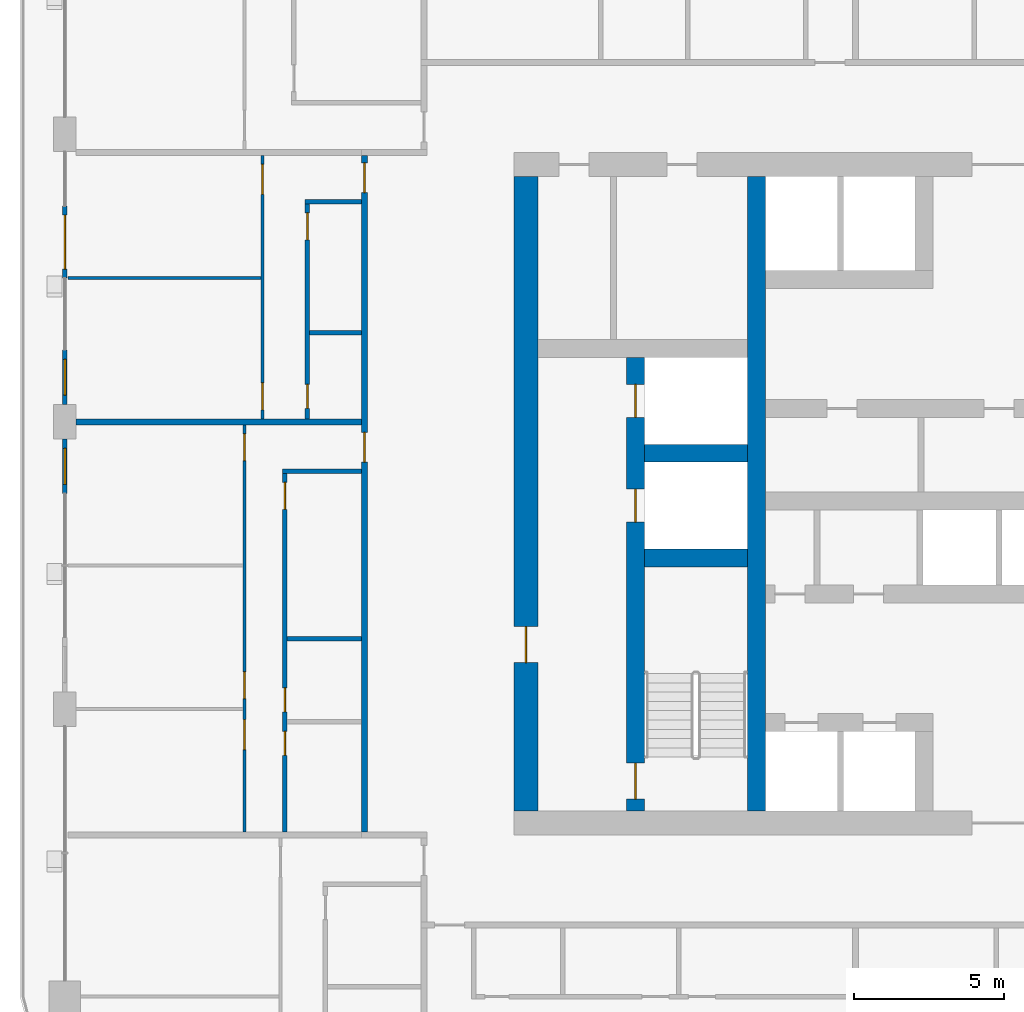
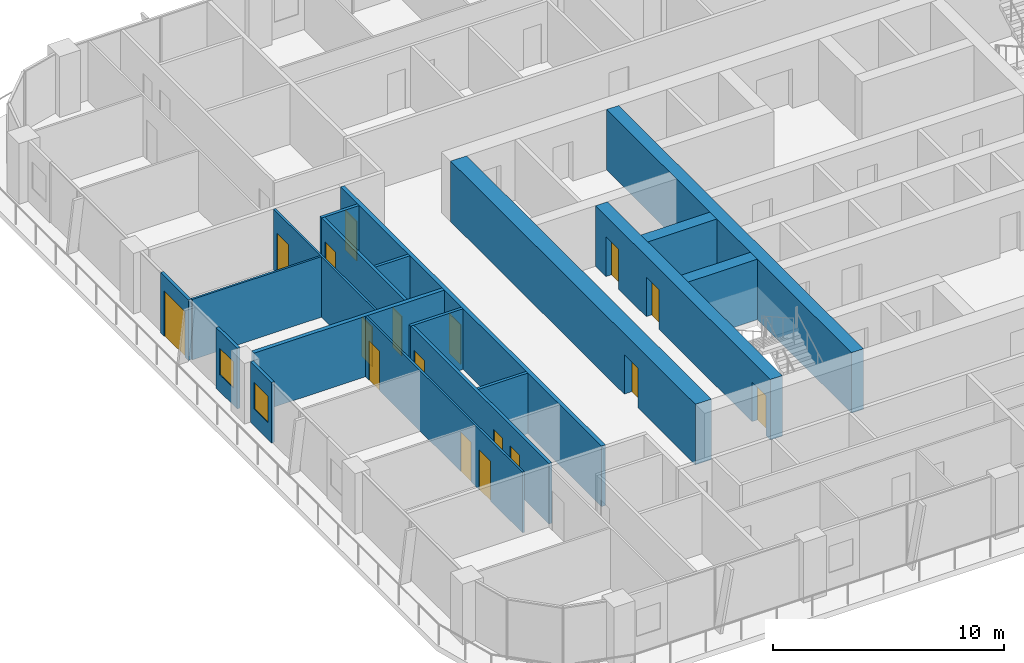
# One storey, part 10 of 22: 19 walls, 17 doors, 2 windows, 19 openings.
"""IFC4 building model written with IfcOpenShell, lengths in metres."""

from ifc_helpers import new_model, si_unit, direction, frame, frame_2d, origin, place, context, subcontext, project, spatial, rectangle, extrude, material, layer, layer_set, type_object, element, fill, save


model = new_model("IFC4")

# Units and contexts
model_context = context("Model", 3, precision=1e-05, world=origin(), true_north=direction((0.0, 1.0)))
body_context = subcontext(model_context, "Body", "Model", "MODEL_VIEW")
ifc_project = project(units=[si_unit("LENGTHUNIT", "METRE"), si_unit("AREAUNIT", "SQUARE_METRE"), si_unit("VOLUMEUNIT", "CUBIC_METRE"), si_unit("PLANEANGLEUNIT", "RADIAN"), si_unit("MASSUNIT", "GRAM", prefix="KILO")], contexts=[model_context])

# Site, building, storey
site_placement = place(None, origin())
site = spatial("IfcSite", under=ifc_project, at=site_placement, CompositionType="ELEMENT")
building_placement = place(site_placement, origin())
building = spatial("IfcBuilding", under=site, at=building_placement, Name="Madar Terraces", CompositionType="ELEMENT")
storey_placement = place(building_placement, frame((0.0, 0.0, 122.60009765625)))
storey = spatial("IfcBuildingStorey", under=building, at=storey_placement, Name="L31", CompositionType="ELEMENT", Elevation=122.60009765625)

# Wall, openings, doors
ifc_material_1 = material(Name="Concrete C70/85", Category="concrete")
ifc_layer_1 = layer(ifc_material_1, 0.60009765625)
ifc_layer_set_1 = layer_set([ifc_layer_1], Name="Concrete C70/85 (CIW3 RC wall 600)")
wall_type_1 = type_object("IfcWallType", Name="CIW3 RC wall 600", PredefinedType="SHEAR", material=ifc_layer_set_1)
wall_1_placement = place(storey_placement, frame((19.050048828125, 15.800048828125, 0.0), z_axis=(0.0, 0.0, 1.0), x_axis=(0.0, 1.0, 0.0)))
wall_1 = element("IfcWall", 1, at=wall_1_placement, inside=storey, type_object=wall_type_1, Name="CORE SHAFT WALL", PredefinedType="SHEAR", context=body_context, shape_type="SweptSolid", body=[
    extrude(rectangle(XDim=15.14990234375, YDim=0.60009765625, at=frame_2d((7.574951171875, 0.0))), origin(), (0.0, 0.0, 1.0), 3.199951171875),
])
opening_1_placement = place(wall_1_placement, frame((9.64990234375, 0.0, 0.0)))
opening_1 = element("IfcOpeningElement", 2, at=opening_1_placement, cuts=wall_1, Name="Opening LD", PredefinedType="OPENING", context=body_context, shape_type="SweptSolid", body=[
    extrude(rectangle(XDim=1.10009765625, YDim=2.10009765625, at=frame_2d((0.550048828125, 1.050048828125))), frame((0.0, 0.31005859375, 0.0), z_axis=(0.0, -1.0, 0.0), x_axis=(1.0, 0.0, 0.0)), (0.0, 0.0, 1.0), 0.6201171875),
])
opening_2_placement = place(wall_1_placement, frame((13.14990234375, 0.0, 0.0)))
opening_2 = element("IfcOpeningElement", 3, at=opening_2_placement, cuts=wall_1, Name="Opening LD", PredefinedType="OPENING", context=body_context, shape_type="SweptSolid", body=[
    extrude(rectangle(XDim=1.10009765625, YDim=2.10009765625, at=frame_2d((0.550048828125, 1.050048828125))), frame((0.0, 0.31005859375, 0.0), z_axis=(0.0, -1.0, 0.0), x_axis=(1.0, 0.0, 0.0)), (0.0, 0.0, 1.0), 0.6201171875),
])
opening_3_placement = place(wall_1_placement, frame((0.39990234375, 0.0, 0.0)))
opening_3 = element("IfcOpeningElement", 4, at=opening_3_placement, cuts=wall_1, Name="Opening SD1", PredefinedType="OPENING", context=body_context, shape_type="SweptSolid", body=[
    extrude(rectangle(XDim=1.199951171875, YDim=2.10009765625, at=frame_2d((0.60009765625, 1.050048828125))), frame((0.0, 0.31005859375, 0.0), z_axis=(0.0, -1.0, 0.0), x_axis=(1.0, 0.0, 0.0)), (0.0, 0.0, 1.0), 0.6201171875),
])
ifc_material_2 = material(Name="Stainless steel panel", Category="steel")
door_type_1 = type_object("IfcDoorType", Name="Lift landing door 1100 x 2100", OperationType="DOUBLE_DOOR_SLIDING", PredefinedType="DOOR", material=ifc_material_2)
door_1_placement = place(opening_1_placement, origin())
door_1 = element("IfcDoor", 5, at=door_1_placement, inside=storey, type_object=door_type_1, Name="LIFT LANDING DOOR", OperationType="DOUBLE_DOOR_SLIDING", OverallHeight=2.10009765625, OverallWidth=1.10009765625, PredefinedType="DOOR", context=body_context, shape_type="SweptSolid", body=[
    extrude(rectangle(XDim=1.10009765625, YDim=2.10009765625, at=frame_2d((0.550048828125, 1.050048828125))), frame((0.0, 0.02490234375, 0.0), z_axis=(0.0, -1.0, 0.0), x_axis=(1.0, 0.0, 0.0)), (0.0, 0.0, 1.0), 0.050048828125),
])
fill(opening_1, door_1)
door_2_placement = place(opening_2_placement, origin())
door_2 = element("IfcDoor", 6, at=door_2_placement, inside=storey, type_object=door_type_1, Name="LIFT LANDING DOOR", OperationType="DOUBLE_DOOR_SLIDING", OverallHeight=2.10009765625, OverallWidth=1.10009765625, PredefinedType="DOOR", context=body_context, shape_type="SweptSolid", body=[
    extrude(rectangle(XDim=1.10009765625, YDim=2.10009765625, at=frame_2d((0.550048828125, 1.050048828125))), frame((0.0, 0.02490234375, 0.0), z_axis=(0.0, -1.0, 0.0), x_axis=(1.0, 0.0, 0.0)), (0.0, 0.0, 1.0), 0.050048828125),
])
fill(opening_2, door_2)
ifc_material_3 = material(Name="Steel door leaf", Category="steel")
door_type_2 = type_object("IfcDoorType", Name="Stair door 1200 x 2100", OperationType="NOTDEFINED", PredefinedType="DOOR", material=ifc_material_3)
door_3_placement = place(opening_3_placement, frame((1.199951171875, 0.0, 0.0), z_axis=(0.0, 0.0, 1.0), x_axis=(-1.0, 0.0, 0.0)))
door_3 = element("IfcDoor", 7, at=door_3_placement, inside=storey, type_object=door_type_2, Name="STAIR DOOR", OperationType="SINGLE_SWING_LEFT", OverallHeight=2.10009765625, OverallWidth=1.199951171875, PredefinedType="DOOR", context=body_context, shape_type="SweptSolid", body=[
    extrude(rectangle(XDim=1.199951171875, YDim=2.10009765625, at=frame_2d((0.60009765625, 1.050048828125))), frame((0.0, 0.02490234375, 0.0), z_axis=(0.0, -1.0, 0.0), x_axis=(1.0, 0.0, 0.0)), (0.0, 0.0, 1.0), 0.050048828125),
])
fill(opening_3, door_3)

# Walls
wall_2_placement = place(storey_placement, frame((23.10009765625, 15.800048828125, 0.0), z_axis=(0.0, 0.0, 1.0), x_axis=(0.0, 1.0, 0.0)))
element("IfcWall", 8, at=wall_2_placement, inside=storey, type_object=wall_type_1, Name="CORE SHAFT WALL", PredefinedType="SHEAR", context=body_context, shape_type="SweptSolid", body=[
    extrude(rectangle(XDim=21.199951171875, YDim=0.60009765625, at=frame_2d((10.60009765625, 0.0))), origin(), (0.0, 0.0, 1.0), 3.199951171875),
])
for number, where, z_axis, x_axis, name in (
    (9, (19.35009765625, 24.25, 0.0), (0.0, 0.0, 1.0), (1.0, 0.0, 0.0), "CORE SHAFT WALL"),
    (10, (19.35009765625, 27.75, 0.0), (0.0, 0.0, 1.0), (1.0, 0.0, 0.0), "CORE SHAFT WALL"),
):
    element("IfcWall", number, at=place(storey_placement, frame(where, z_axis=z_axis, x_axis=x_axis)), inside=storey, type_object=wall_type_1, Name=name, PredefinedType="SHEAR", context=body_context, shape_type="SweptSolid", body=[
        extrude(rectangle(XDim=3.449951171875, YDim=0.60009765625, at=frame_2d((1.72509765625, 0.0))), origin(), (0.0, 0.0, 1.0), 3.199951171875),
    ])

# Wall, opening, door
ifc_material_4 = material(Name="Concrete C70/85", Category="concrete")
ifc_layer_2 = layer(ifc_material_4, 0.800048828125)
ifc_layer_set_2 = layer_set([ifc_layer_2], Name="Concrete C70/85 (CRW3 RC wall 800)")
wall_type_2 = type_object("IfcWallType", Name="CRW3 RC wall 800", PredefinedType="SHEAR", material=ifc_layer_set_2)
wall_3_placement = place(storey_placement, frame((15.39990234375, 15.800048828125, 0.0), z_axis=(0.0, 0.0, 1.0), x_axis=(0.0, 1.0, 0.0)))
wall_3 = element("IfcWall", 11, at=wall_3_placement, inside=storey, type_object=wall_type_2, Name="CORE OUTER WALL", PredefinedType="SHEAR", context=body_context, shape_type="SweptSolid", body=[
    extrude(rectangle(XDim=21.199951171875, YDim=0.800048828125, at=frame_2d((10.60009765625, 0.0))), origin(), (0.0, 0.0, 1.0), 3.199951171875),
])
opening_4_placement = place(wall_3_placement, frame((4.9599609375, 0.0, 0.0)))
opening_4 = element("IfcOpeningElement", 12, at=opening_4_placement, cuts=wall_3, Name="Opening SD1", PredefinedType="OPENING", context=body_context, shape_type="SweptSolid", body=[
    extrude(rectangle(XDim=1.199951171875, YDim=2.10009765625, at=frame_2d((0.60009765625, 1.050048828125))), frame((0.0, 0.409912109375, 0.0), z_axis=(0.0, -1.0, 0.0), x_axis=(1.0, 0.0, 0.0)), (0.0, 0.0, 1.0), 0.820068359375),
])
door_4_placement = place(opening_4_placement, frame((1.199951171875, 0.0, 0.0), z_axis=(0.0, 0.0, 1.0), x_axis=(-1.0, 0.0, 0.0)))
door_4 = element("IfcDoor", 13, at=door_4_placement, inside=storey, type_object=door_type_2, Name="STAIR DOOR", OperationType="SINGLE_SWING_RIGHT", OverallHeight=2.10009765625, OverallWidth=1.199951171875, PredefinedType="DOOR", context=body_context, shape_type="SweptSolid", body=[
    extrude(rectangle(XDim=1.199951171875, YDim=2.10009765625, at=frame_2d((0.60009765625, 1.050048828125))), frame((0.0, 0.02490234375, 0.0), z_axis=(0.0, -1.0, 0.0), x_axis=(1.0, 0.0, 0.0)), (0.0, 0.0, 1.0), 0.050048828125),
])
fill(opening_4, door_4)

ifc_material_5 = material(Name="Aluminium composite panel, black, over insulated backing", Category="aluminium")
ifc_layer_3 = layer(ifc_material_5, 0.14990234375)
ifc_layer_set_3 = layer_set([ifc_layer_3], Name="Facade bay panel 150")
wall_type_3 = type_object("IfcWallType", Name="Facade bay panel 150", PredefinedType="SOLIDWALL", material=ifc_layer_set_3)
wall_4_placement = place(storey_placement, frame((0.0, 36.0, 0.0), z_axis=(0.0, 0.0, 1.0), x_axis=(0.0, -1.0, 0.0)))
wall_4 = element("IfcWall", 14, at=wall_4_placement, inside=storey, type_object=wall_type_3, Name="Facade bay panel", PredefinedType="SOLIDWALL", context=body_context, shape_type="SweptSolid", body=[
    extrude(rectangle(XDim=2.39990234375, YDim=0.14990234375, at=frame_2d((1.199951171875, 0.0))), origin(), (0.0, 0.0, 1.0), 3.199951171875),
])
opening_5_placement = place(wall_4_placement, frame((0.300048828125, 0.0, 0.0)))
opening_5 = element("IfcOpeningElement", 15, at=opening_5_placement, cuts=wall_4, Name="Opening ED1", PredefinedType="OPENING", context=body_context, shape_type="SweptSolid", body=[
    extrude(rectangle(XDim=1.800048828125, YDim=2.39990234375, at=frame_2d((0.89990234375, 1.199951171875))), frame((0.0, 0.0849609375, 0.0), z_axis=(0.0, -1.0, 0.0), x_axis=(1.0, 0.0, 0.0)), (0.0, 0.0, 1.0), 0.169921875),
])
ifc_material_6 = material(Name="Glass, clear, with black aluminium frame", Category="aluminium")
door_type_3 = type_object("IfcDoorType", Name="Balcony and terrace sliding door 1800 x 2400", OperationType="SLIDING_TO_LEFT", PredefinedType="DOOR", material=ifc_material_6)
door_5_placement = place(opening_5_placement, origin())
door_5 = element("IfcDoor", 16, at=door_5_placement, inside=storey, type_object=door_type_3, Name="Balcony door", OperationType="SLIDING_TO_LEFT", OverallHeight=2.39990234375, OverallWidth=1.800048828125, PredefinedType="DOOR", context=body_context, shape_type="SweptSolid", body=[
    extrude(rectangle(XDim=1.800048828125, YDim=2.39990234375, at=frame_2d((0.89990234375, 1.199951171875))), frame((0.0, 0.02490234375, 0.0), z_axis=(0.0, -1.0, 0.0), x_axis=(1.0, 0.0, 0.0)), (0.0, 0.0, 1.0), 0.050048828125),
])
fill(opening_5, door_5)

# Wall, opening, window
wall_5_placement = place(storey_placement, frame((0.0, 31.199951171875, 0.0), z_axis=(0.0, 0.0, 1.0), x_axis=(0.0, -1.0, 0.0)))
wall_5 = element("IfcWall", 17, at=wall_5_placement, inside=storey, type_object=wall_type_3, Name="Facade bay panel", PredefinedType="SOLIDWALL", context=body_context, shape_type="SweptSolid", body=[
    extrude(rectangle(XDim=1.824951171875, YDim=0.14990234375, at=frame_2d((0.91259765625, 0.0))), origin(), (0.0, 0.0, 1.0), 3.199951171875),
])
opening_6_placement = place(wall_5_placement, frame((0.3125, 0.0, 0.89990234375)))
opening_6 = element("IfcOpeningElement", 18, at=opening_6_placement, cuts=wall_5, Name="Opening W1", PredefinedType="OPENING", context=body_context, shape_type="SweptSolid", body=[
    extrude(rectangle(XDim=1.199951171875, YDim=1.39990234375, at=frame_2d((0.60009765625, 0.699951171875))), frame((0.0, 0.0849609375, 0.0), z_axis=(0.0, -1.0, 0.0), x_axis=(1.0, 0.0, 0.0)), (0.0, 0.0, 1.0), 0.169921875),
])
ifc_material_7 = material(Name="Glass, clear, with black aluminium frame", Category="aluminium")
window_type = type_object("IfcWindowType", Name="Vent window 1200 x 1400", PartitioningType="SINGLE_PANEL", PredefinedType="WINDOW", material=ifc_material_7)
window_1_placement = place(opening_6_placement, origin())
window_1 = element("IfcWindow", 19, at=window_1_placement, inside=storey, type_object=window_type, Name="Operable vent window", OverallHeight=1.39990234375, OverallWidth=1.199951171875, PartitioningType="SINGLE_PANEL", PredefinedType="WINDOW", context=body_context, shape_type="SweptSolid", body=[
    extrude(rectangle(XDim=1.199951171875, YDim=1.39990234375, at=frame_2d((0.60009765625, 0.699951171875))), frame((0.0, 0.030029296875, 0.0), z_axis=(0.0, -1.0, 0.0), x_axis=(1.0, 0.0, 0.0)), (0.0, 0.0, 1.0), 0.06005859375),
])
fill(opening_6, window_1)

wall_6_placement = place(storey_placement, frame((0.0, 28.22509765625, 0.0), z_axis=(0.0, 0.0, 1.0), x_axis=(0.0, -1.0, 0.0)))
wall_6 = element("IfcWall", 20, at=wall_6_placement, inside=storey, type_object=wall_type_3, Name="Facade bay panel", PredefinedType="SOLIDWALL", context=body_context, shape_type="SweptSolid", body=[
    extrude(rectangle(XDim=1.8251953125, YDim=0.14990234375, at=frame_2d((0.91259765625, 0.0))), origin(), (0.0, 0.0, 1.0), 3.199951171875),
])
opening_7_placement = place(wall_6_placement, frame((0.3125, 0.0, 0.89990234375)))
opening_7 = element("IfcOpeningElement", 21, at=opening_7_placement, cuts=wall_6, Name="Opening W1", PredefinedType="OPENING", context=body_context, shape_type="SweptSolid", body=[
    extrude(rectangle(XDim=1.199951171875, YDim=1.39990234375, at=frame_2d((0.60009765625, 0.699951171875))), frame((0.0, 0.0849609375, 0.0), z_axis=(0.0, -1.0, 0.0), x_axis=(1.0, 0.0, 0.0)), (0.0, 0.0, 1.0), 0.169921875),
])
window_2_placement = place(opening_7_placement, origin())
window_2 = element("IfcWindow", 22, at=window_2_placement, inside=storey, type_object=window_type, Name="Operable vent window", OverallHeight=1.39990234375, OverallWidth=1.199951171875, PartitioningType="SINGLE_PANEL", PredefinedType="WINDOW", context=body_context, shape_type="SweptSolid", body=[
    extrude(rectangle(XDim=1.199951171875, YDim=1.39990234375, at=frame_2d((0.60009765625, 0.699951171875))), frame((0.0, 0.030029296875, 0.0), z_axis=(0.0, -1.0, 0.0), x_axis=(1.0, 0.0, 0.0)), (0.0, 0.0, 1.0), 0.06005859375),
])
fill(opening_7, window_2)

# Wall
ifc_material_8 = material(Name="Gypsum board on steel studs", Category="steel")
ifc_layer_4 = layer(ifc_material_8, 0.10009765625)
ifc_layer_set_4 = layer_set([ifc_layer_4], Name="Flat partition 100")
wall_type_4 = type_object("IfcWallType", Name="Flat partition 100", PredefinedType="PARTITIONING", material=ifc_layer_set_4)
wall_7_placement = place(storey_placement, frame((6.550048828125, 33.60009765625, 0.0), z_axis=(0.0, 0.0, 1.0), x_axis=(-1.0, 0.0, 0.0)))
element("IfcWall", 23, at=wall_7_placement, inside=storey, type_object=wall_type_4, Name="Flat partition 100", PredefinedType="PARTITIONING", context=body_context, shape_type="SweptSolid", body=[
    extrude(rectangle(XDim=6.449951171875, YDim=0.10009765625, at=frame_2d((3.22509765625, 0.0))), origin(), (0.0, 0.0, 1.0), 3.199951171875),
])

# Wall, openings, doors
wall_8_placement = place(storey_placement, frame((6.60009765625, 28.89990234375, 0.0), z_axis=(0.0, 0.0, 1.0), x_axis=(0.0, 1.0, 0.0)))
wall_8 = element("IfcWall", 24, at=wall_8_placement, inside=storey, type_object=wall_type_4, Name="Flat partition 100", PredefinedType="PARTITIONING", context=body_context, shape_type="SweptSolid", body=[
    extrude(rectangle(XDim=8.800048828125, YDim=0.10009765625, at=frame_2d((4.39990234375, 0.0))), origin(), (0.0, 0.0, 1.0), 3.199951171875),
])
opening_8_placement = place(wall_8_placement, frame((7.5, 0.0, 0.0)))
opening_8 = element("IfcOpeningElement", 25, at=opening_8_placement, cuts=wall_8, Name="Opening D3", PredefinedType="OPENING", context=body_context, shape_type="SweptSolid", body=[
    extrude(rectangle(XDim=1.0, YDim=2.10009765625, at=frame_2d((0.5, 1.050048828125))), frame((0.0, 0.06005859375, 0.0), z_axis=(0.0, -1.0, 0.0), x_axis=(1.0, 0.0, 0.0)), (0.0, 0.0, 1.0), 0.1201171875),
])
opening_9_placement = place(wall_8_placement, frame((0.300048828125, 0.0, 0.0)))
opening_9 = element("IfcOpeningElement", 26, at=opening_9_placement, cuts=wall_8, Name="Opening D2", PredefinedType="OPENING", context=body_context, shape_type="SweptSolid", body=[
    extrude(rectangle(XDim=0.89990234375, YDim=2.10009765625, at=frame_2d((0.449951171875, 1.050048828125))), frame((0.0, 0.06005859375, 0.0), z_axis=(0.0, -1.0, 0.0), x_axis=(1.0, 0.0, 0.0)), (0.0, 0.0, 1.0), 0.1201171875),
])
ifc_material_9 = material(Name="Timber door leaf", Category="wood")
door_type_4 = type_object("IfcDoorType", Name="Flat living room door 1000", OperationType="NOTDEFINED", PredefinedType="DOOR", material=ifc_material_9)
door_6_placement = place(opening_8_placement, origin())
door_6 = element("IfcDoor", 27, at=door_6_placement, inside=storey, type_object=door_type_4, Name="Flat living room door 1000", OperationType="SINGLE_SWING_RIGHT", OverallHeight=2.10009765625, OverallWidth=1.0, PredefinedType="DOOR", context=body_context, shape_type="SweptSolid", body=[
    extrude(rectangle(XDim=1.0, YDim=2.10009765625, at=frame_2d((0.5, 1.050048828125))), frame((0.0, 0.02490234375, 0.0), z_axis=(0.0, -1.0, 0.0), x_axis=(1.0, 0.0, 0.0)), (0.0, 0.0, 1.0), 0.050048828125),
])
fill(opening_8, door_6)
ifc_material_10 = material(Name="Timber door leaf", Category="wood")
door_type_5 = type_object("IfcDoorType", Name="Flat room door 900", OperationType="NOTDEFINED", PredefinedType="DOOR", material=ifc_material_10)
door_7_placement = place(opening_9_placement, origin())
door_7 = element("IfcDoor", 28, at=door_7_placement, inside=storey, type_object=door_type_5, Name="Flat room door 900", OperationType="SINGLE_SWING_LEFT", OverallHeight=2.10009765625, OverallWidth=0.89990234375, PredefinedType="DOOR", context=body_context, shape_type="SweptSolid", body=[
    extrude(rectangle(XDim=0.89990234375, YDim=2.10009765625, at=frame_2d((0.449951171875, 1.050048828125))), frame((0.0, 0.02490234375, 0.0), z_axis=(0.0, -1.0, 0.0), x_axis=(1.0, 0.0, 0.0)), (0.0, 0.0, 1.0), 0.050048828125),
])
fill(opening_9, door_7)

wall_9_placement = place(storey_placement, frame((6.0, 15.10009765625, 0.0), z_axis=(0.0, 0.0, 1.0), x_axis=(0.0, 1.0, 0.0)))
wall_9 = element("IfcWall", 29, at=wall_9_placement, inside=storey, type_object=wall_type_4, Name="Flat partition 100", PredefinedType="PARTITIONING", context=body_context, shape_type="SweptSolid", body=[
    extrude(rectangle(XDim=13.599853515625, YDim=0.10009765625, at=frame_2d((6.7998046875, 0.0))), origin(), (0.0, 0.0, 1.0), 3.199951171875),
])
opening_10_placement = place(wall_9_placement, frame((12.39990234375, 0.0, 0.0)))
opening_10 = element("IfcOpeningElement", 30, at=opening_10_placement, cuts=wall_9, Name="Opening D2", PredefinedType="OPENING", context=body_context, shape_type="SweptSolid", body=[
    extrude(rectangle(XDim=0.89990234375, YDim=2.10009765625, at=frame_2d((0.449951171875, 1.050048828125))), frame((0.0, 0.06005859375, 0.0), z_axis=(0.0, -1.0, 0.0), x_axis=(1.0, 0.0, 0.0)), (0.0, 0.0, 1.0), 0.1201171875),
])
opening_11_placement = place(wall_9_placement, frame((4.449951171875, 0.0, 0.0)))
opening_11 = element("IfcOpeningElement", 31, at=opening_11_placement, cuts=wall_9, Name="Opening D2", PredefinedType="OPENING", context=body_context, shape_type="SweptSolid", body=[
    extrude(rectangle(XDim=0.89990234375, YDim=2.10009765625, at=frame_2d((0.449951171875, 1.050048828125))), frame((0.0, 0.06005859375, 0.0), z_axis=(0.0, -1.0, 0.0), x_axis=(1.0, 0.0, 0.0)), (0.0, 0.0, 1.0), 0.1201171875),
])
opening_12_placement = place(wall_9_placement, frame((2.75, 0.0, 0.0)))
opening_12 = element("IfcOpeningElement", 32, at=opening_12_placement, cuts=wall_9, Name="Opening D3", PredefinedType="OPENING", context=body_context, shape_type="SweptSolid", body=[
    extrude(rectangle(XDim=1.0, YDim=2.10009765625, at=frame_2d((0.5, 1.050048828125))), frame((0.0, 0.06005859375, 0.0), z_axis=(0.0, -1.0, 0.0), x_axis=(1.0, 0.0, 0.0)), (0.0, 0.0, 1.0), 0.1201171875),
])
door_8_placement = place(opening_12_placement, origin())
door_8 = element("IfcDoor", 33, at=door_8_placement, inside=storey, type_object=door_type_4, Name="Flat living room door 1000", OperationType="SINGLE_SWING_RIGHT", OverallHeight=2.10009765625, OverallWidth=1.0, PredefinedType="DOOR", context=body_context, shape_type="SweptSolid", body=[
    extrude(rectangle(XDim=1.0, YDim=2.10009765625, at=frame_2d((0.5, 1.050048828125))), frame((0.0, 0.02490234375, 0.0), z_axis=(0.0, -1.0, 0.0), x_axis=(1.0, 0.0, 0.0)), (0.0, 0.0, 1.0), 0.050048828125),
])
fill(opening_12, door_8)
door_9_placement = place(opening_10_placement, origin())
door_9 = element("IfcDoor", 34, at=door_9_placement, inside=storey, type_object=door_type_5, Name="Flat room door 900", OperationType="SINGLE_SWING_RIGHT", OverallHeight=2.10009765625, OverallWidth=0.89990234375, PredefinedType="DOOR", context=body_context, shape_type="SweptSolid", body=[
    extrude(rectangle(XDim=0.89990234375, YDim=2.10009765625, at=frame_2d((0.449951171875, 1.050048828125))), frame((0.0, 0.02490234375, 0.0), z_axis=(0.0, -1.0, 0.0), x_axis=(1.0, 0.0, 0.0)), (0.0, 0.0, 1.0), 0.050048828125),
])
fill(opening_10, door_9)
door_10_placement = place(opening_11_placement, origin())
door_10 = element("IfcDoor", 35, at=door_10_placement, inside=storey, type_object=door_type_5, Name="Flat room door 900", OperationType="SINGLE_SWING_LEFT", OverallHeight=2.10009765625, OverallWidth=0.89990234375, PredefinedType="DOOR", context=body_context, shape_type="SweptSolid", body=[
    extrude(rectangle(XDim=0.89990234375, YDim=2.10009765625, at=frame_2d((0.449951171875, 1.050048828125))), frame((0.0, 0.02490234375, 0.0), z_axis=(0.0, -1.0, 0.0), x_axis=(1.0, 0.0, 0.0)), (0.0, 0.0, 1.0), 0.050048828125),
])
fill(opening_11, door_10)

ifc_material_11 = material(Name="Lightweight blockwork", Category="masonry")
ifc_layer_5 = layer(ifc_material_11, 0.199951171875)
ifc_layer_set_5 = layer_set([ifc_layer_5], Name="Flat party and entrance wall 200")
wall_type_5 = type_object("IfcWallType", Name="Flat party and entrance wall 200", PredefinedType="PARTITIONING", material=ifc_layer_set_5)
wall_10_placement = place(storey_placement, frame((10.0, 15.10009765625, 0.0), z_axis=(0.0, 0.0, 1.0), x_axis=(0.0, 1.0, 0.0)))
wall_10 = element("IfcWall", 36, at=wall_10_placement, inside=storey, type_object=wall_type_5, Name="Flat party and entrance wall 200", PredefinedType="PARTITIONING", context=body_context, shape_type="SweptSolid", body=[
    extrude(rectangle(XDim=22.599853515625, YDim=0.199951171875, at=frame_2d((11.2998046875, 0.0))), origin(), (0.0, 0.0, 1.0), 3.199951171875),
])
opening_13_placement = place(wall_10_placement, frame((21.35009765625, 0.0, 0.0)))
opening_13 = element("IfcOpeningElement", 37, at=opening_13_placement, cuts=wall_10, Name="Opening D1", PredefinedType="OPENING", context=body_context, shape_type="SweptSolid", body=[
    extrude(rectangle(XDim=1.0, YDim=2.10009765625, at=frame_2d((0.5, 1.050048828125))), frame((0.0, 0.10986328125, 0.0), z_axis=(0.0, -1.0, 0.0), x_axis=(1.0, 0.0, 0.0)), (0.0, 0.0, 1.0), 0.219970703125),
])
opening_14_placement = place(wall_10_placement, frame((12.35009765625, 0.0, 0.0)))
opening_14 = element("IfcOpeningElement", 38, at=opening_14_placement, cuts=wall_10, Name="Opening D1", PredefinedType="OPENING", context=body_context, shape_type="SweptSolid", body=[
    extrude(rectangle(XDim=1.0, YDim=2.10009765625, at=frame_2d((0.5, 1.050048828125))), frame((0.0, 0.10986328125, 0.0), z_axis=(0.0, -1.0, 0.0), x_axis=(1.0, 0.0, 0.0)), (0.0, 0.0, 1.0), 0.219970703125),
])
ifc_material_12 = material(Name="Timber fire door leaf", Category="wood")
door_type_6 = type_object("IfcDoorType", Name="Flat entrance door 1000 FD30S", OperationType="NOTDEFINED", PredefinedType="DOOR", material=ifc_material_12)
door_11_placement = place(opening_13_placement, origin())
door_11 = element("IfcDoor", 39, at=door_11_placement, inside=storey, type_object=door_type_6, Name="Flat entrance door 1000 FD30S", OperationType="SINGLE_SWING_RIGHT", OverallHeight=2.10009765625, OverallWidth=1.0, PredefinedType="DOOR", context=body_context, shape_type="SweptSolid", body=[
    extrude(rectangle(XDim=1.0, YDim=2.10009765625, at=frame_2d((0.5, 1.050048828125))), frame((0.0, 0.02490234375, 0.0), z_axis=(0.0, -1.0, 0.0), x_axis=(1.0, 0.0, 0.0)), (0.0, 0.0, 1.0), 0.050048828125),
])
fill(opening_13, door_11)
door_12_placement = place(opening_14_placement, origin())
door_12 = element("IfcDoor", 40, at=door_12_placement, inside=storey, type_object=door_type_6, Name="Flat entrance door 1000 FD30S", OperationType="SINGLE_SWING_RIGHT", OverallHeight=2.10009765625, OverallWidth=1.0, PredefinedType="DOOR", context=body_context, shape_type="SweptSolid", body=[
    extrude(rectangle(XDim=1.0, YDim=2.10009765625, at=frame_2d((0.5, 1.050048828125))), frame((0.0, 0.02490234375, 0.0), z_axis=(0.0, -1.0, 0.0), x_axis=(1.0, 0.0, 0.0)), (0.0, 0.0, 1.0), 0.050048828125),
])
fill(opening_14, door_12)

# Walls
wall_11_placement = place(storey_placement, frame((0.375, 28.800048828125, 0.0), z_axis=(0.0, 0.0, 1.0), x_axis=(1.0, 0.0, 0.0)))
element("IfcWall", 41, at=wall_11_placement, inside=storey, type_object=wall_type_5, Name="Flat party and entrance wall 200", PredefinedType="PARTITIONING", context=body_context, shape_type="SweptSolid", body=[
    extrude(rectangle(XDim=9.52490234375, YDim=0.199951171875, at=frame_2d((4.762451171875, 0.0))), origin(), (0.0, 0.0, 1.0), 3.199951171875),
])
ifc_material_13 = material(Name="Lightweight blockwork", Category="masonry")
ifc_layer_6 = layer(ifc_material_13, 0.14990234375)
ifc_layer_set_6 = layer_set([ifc_layer_6], Name="Flat wet-room partition 150")
wall_type_6 = type_object("IfcWallType", Name="Flat wet-room partition 150", PredefinedType="PARTITIONING", material=ifc_layer_set_6)
wall_12_placement = place(storey_placement, frame((9.89990234375, 31.77001953125, 0.0), z_axis=(0.0, 0.0, 1.0), x_axis=(-1.0, 0.0, 0.0)))
element("IfcWall", 42, at=wall_12_placement, inside=storey, type_object=wall_type_6, Name="Flat wet-room partition 150", PredefinedType="PARTITIONING", context=body_context, shape_type="SweptSolid", body=[
    extrude(rectangle(XDim=1.724853515625, YDim=0.14990234375, at=frame_2d((0.8623046875, 0.0))), origin(), (0.0, 0.0, 1.0), 3.199951171875),
])
wall_13_placement = place(storey_placement, frame((9.89990234375, 36.14990234375, 0.0), z_axis=(0.0, 0.0, 1.0), x_axis=(-1.0, 0.0, 0.0)))
element("IfcWall", 43, at=wall_13_placement, inside=storey, type_object=wall_type_6, Name="Flat wet-room partition 150", PredefinedType="PARTITIONING", context=body_context, shape_type="SweptSolid", body=[
    extrude(rectangle(XDim=1.875, YDim=0.14990234375, at=frame_2d((0.9375, 0.0))), origin(), (0.0, 0.0, 1.0), 3.199951171875),
])

# Wall, openings, doors
wall_14_placement = place(storey_placement, frame((8.10009765625, 36.074951171875, 0.0), z_axis=(0.0, 0.0, 1.0), x_axis=(0.0, -1.0, 0.0)))
wall_14 = element("IfcWall", 44, at=wall_14_placement, inside=storey, type_object=wall_type_6, Name="Flat wet-room partition 150", PredefinedType="PARTITIONING", context=body_context, shape_type="SweptSolid", body=[
    extrude(rectangle(XDim=7.175048828125, YDim=0.14990234375, at=frame_2d((3.58740234375, 0.0))), origin(), (0.0, 0.0, 1.0), 3.199951171875),
])
opening_15_placement = place(wall_14_placement, frame((0.300048828125, 0.0, 0.0)))
opening_15 = element("IfcOpeningElement", 45, at=opening_15_placement, cuts=wall_14, Name="Opening D2", PredefinedType="OPENING", context=body_context, shape_type="SweptSolid", body=[
    extrude(rectangle(XDim=0.89990234375, YDim=2.10009765625, at=frame_2d((0.449951171875, 1.050048828125))), frame((0.0, 0.0849609375, 0.0), z_axis=(0.0, -1.0, 0.0), x_axis=(1.0, 0.0, 0.0)), (0.0, 0.0, 1.0), 0.169921875),
])
opening_16_placement = place(wall_14_placement, frame((6.02490234375, 0.0, 0.0)))
opening_16 = element("IfcOpeningElement", 46, at=opening_16_placement, cuts=wall_14, Name="Opening D4", PredefinedType="OPENING", context=body_context, shape_type="SweptSolid", body=[
    extrude(rectangle(XDim=0.800048828125, YDim=2.10009765625, at=frame_2d((0.39990234375, 1.050048828125))), frame((0.0, 0.0849609375, 0.0), z_axis=(0.0, -1.0, 0.0), x_axis=(1.0, 0.0, 0.0)), (0.0, 0.0, 1.0), 0.169921875),
])
ifc_material_14 = material(Name="Timber door leaf", Category="wood")
door_type_7 = type_object("IfcDoorType", Name="Flat bathroom door 800", OperationType="NOTDEFINED", PredefinedType="DOOR", material=ifc_material_14)
door_13_placement = place(opening_16_placement, origin())
door_13 = element("IfcDoor", 47, at=door_13_placement, inside=storey, type_object=door_type_7, Name="Flat bathroom door 800", OperationType="SINGLE_SWING_RIGHT", OverallHeight=2.10009765625, OverallWidth=0.800048828125, PredefinedType="DOOR", context=body_context, shape_type="SweptSolid", body=[
    extrude(rectangle(XDim=0.800048828125, YDim=2.10009765625, at=frame_2d((0.39990234375, 1.050048828125))), frame((0.0, 0.02490234375, 0.0), z_axis=(0.0, -1.0, 0.0), x_axis=(1.0, 0.0, 0.0)), (0.0, 0.0, 1.0), 0.050048828125),
])
fill(opening_16, door_13)
door_14_placement = place(opening_15_placement, origin())
door_14 = element("IfcDoor", 48, at=door_14_placement, inside=storey, type_object=door_type_5, Name="Flat room door 900", OperationType="SINGLE_SWING_LEFT", OverallHeight=2.10009765625, OverallWidth=0.89990234375, PredefinedType="DOOR", context=body_context, shape_type="SweptSolid", body=[
    extrude(rectangle(XDim=0.89990234375, YDim=2.10009765625, at=frame_2d((0.449951171875, 1.050048828125))), frame((0.0, 0.02490234375, 0.0), z_axis=(0.0, -1.0, 0.0), x_axis=(1.0, 0.0, 0.0)), (0.0, 0.0, 1.0), 0.050048828125),
])
fill(opening_15, door_14)

# Walls
wall_15_placement = place(storey_placement, frame((9.89990234375, 21.548095703125, 0.0), z_axis=(0.0, 0.0, 1.0), x_axis=(-1.0, 0.0, 0.0)))
element("IfcWall", 49, at=wall_15_placement, inside=storey, type_object=wall_type_6, Name="Flat wet-room partition 150", PredefinedType="PARTITIONING", context=body_context, shape_type="SweptSolid", body=[
    extrude(rectangle(XDim=2.474853515625, YDim=0.14990234375, at=frame_2d((1.2373046875, 0.0))), origin(), (0.0, 0.0, 1.0), 3.199951171875),
])
wall_16_placement = place(storey_placement, frame((9.89990234375, 27.14990234375, 0.0), z_axis=(0.0, 0.0, 1.0), x_axis=(-1.0, 0.0, 0.0)))
element("IfcWall", 50, at=wall_16_placement, inside=storey, type_object=wall_type_6, Name="Flat wet-room partition 150", PredefinedType="PARTITIONING", context=body_context, shape_type="SweptSolid", body=[
    extrude(rectangle(XDim=2.625, YDim=0.14990234375, at=frame_2d((1.3125, 0.0))), origin(), (0.0, 0.0, 1.0), 3.199951171875),
])

# Wall, openings, doors
wall_17_placement = place(storey_placement, frame((7.35009765625, 27.074951171875, 0.0), z_axis=(0.0, 0.0, 1.0), x_axis=(0.0, -1.0, 0.0)))
wall_17 = element("IfcWall", 51, at=wall_17_placement, inside=storey, type_object=wall_type_6, Name="Flat wet-room partition 150", PredefinedType="PARTITIONING", context=body_context, shape_type="SweptSolid", body=[
    extrude(rectangle(XDim=11.974853515625, YDim=0.14990234375, at=frame_2d((5.9873046875, 0.0))), origin(), (0.0, 0.0, 1.0), 3.199951171875),
])
opening_17_placement = place(wall_17_placement, frame((0.300048828125, 0.0, 0.0)))
opening_17 = element("IfcOpeningElement", 52, at=opening_17_placement, cuts=wall_17, Name="Opening D2", PredefinedType="OPENING", context=body_context, shape_type="SweptSolid", body=[
    extrude(rectangle(XDim=0.89990234375, YDim=2.10009765625, at=frame_2d((0.449951171875, 1.050048828125))), frame((0.0, 0.0849609375, 0.0), z_axis=(0.0, -1.0, 0.0), x_axis=(1.0, 0.0, 0.0)), (0.0, 0.0, 1.0), 0.169921875),
])
opening_18_placement = place(wall_17_placement, frame((7.165283203125, 0.0, 0.0)))
opening_18 = element("IfcOpeningElement", 53, at=opening_18_placement, cuts=wall_17, Name="Opening D4", PredefinedType="OPENING", context=body_context, shape_type="SweptSolid", body=[
    extrude(rectangle(XDim=0.800048828125, YDim=2.10009765625, at=frame_2d((0.39990234375, 1.050048828125))), frame((0.0, 0.0849609375, 0.0), z_axis=(0.0, -1.0, 0.0), x_axis=(1.0, 0.0, 0.0)), (0.0, 0.0, 1.0), 0.169921875),
])
opening_19_placement = place(wall_17_placement, frame((8.615478515625, 0.0, 0.0)))
opening_19 = element("IfcOpeningElement", 54, at=opening_19_placement, cuts=wall_17, Name="Opening D4", PredefinedType="OPENING", context=body_context, shape_type="SweptSolid", body=[
    extrude(rectangle(XDim=0.800048828125, YDim=2.10009765625, at=frame_2d((0.39990234375, 1.050048828125))), frame((0.0, 0.0849609375, 0.0), z_axis=(0.0, -1.0, 0.0), x_axis=(1.0, 0.0, 0.0)), (0.0, 0.0, 1.0), 0.169921875),
])
door_15_placement = place(opening_18_placement, origin())
door_15 = element("IfcDoor", 55, at=door_15_placement, inside=storey, type_object=door_type_7, Name="Flat bathroom door 800", OperationType="SINGLE_SWING_RIGHT", OverallHeight=2.10009765625, OverallWidth=0.800048828125, PredefinedType="DOOR", context=body_context, shape_type="SweptSolid", body=[
    extrude(rectangle(XDim=0.800048828125, YDim=2.10009765625, at=frame_2d((0.39990234375, 1.050048828125))), frame((0.0, 0.02490234375, 0.0), z_axis=(0.0, -1.0, 0.0), x_axis=(1.0, 0.0, 0.0)), (0.0, 0.0, 1.0), 0.050048828125),
])
fill(opening_18, door_15)
door_16_placement = place(opening_19_placement, origin())
door_16 = element("IfcDoor", 56, at=door_16_placement, inside=storey, type_object=door_type_7, Name="Flat bathroom door 800", OperationType="SINGLE_SWING_LEFT", OverallHeight=2.10009765625, OverallWidth=0.800048828125, PredefinedType="DOOR", context=body_context, shape_type="SweptSolid", body=[
    extrude(rectangle(XDim=0.800048828125, YDim=2.10009765625, at=frame_2d((0.39990234375, 1.050048828125))), frame((0.0, 0.02490234375, 0.0), z_axis=(0.0, -1.0, 0.0), x_axis=(1.0, 0.0, 0.0)), (0.0, 0.0, 1.0), 0.050048828125),
])
fill(opening_19, door_16)
door_17_placement = place(opening_17_placement, origin())
door_17 = element("IfcDoor", 57, at=door_17_placement, inside=storey, type_object=door_type_5, Name="Flat room door 900", OperationType="SINGLE_SWING_LEFT", OverallHeight=2.10009765625, OverallWidth=0.89990234375, PredefinedType="DOOR", context=body_context, shape_type="SweptSolid", body=[
    extrude(rectangle(XDim=0.89990234375, YDim=2.10009765625, at=frame_2d((0.449951171875, 1.050048828125))), frame((0.0, 0.02490234375, 0.0), z_axis=(0.0, -1.0, 0.0), x_axis=(1.0, 0.0, 0.0)), (0.0, 0.0, 1.0), 0.050048828125),
])
fill(opening_17, door_17)

save(model, "model.ifc")
